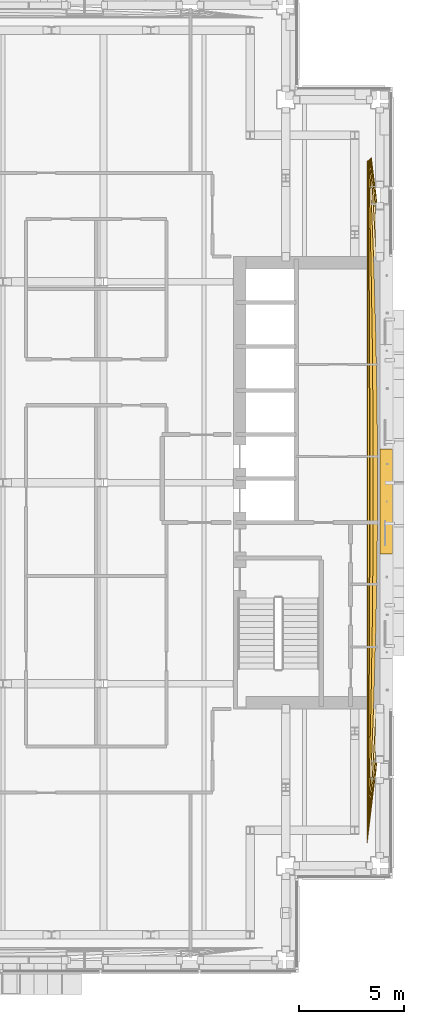
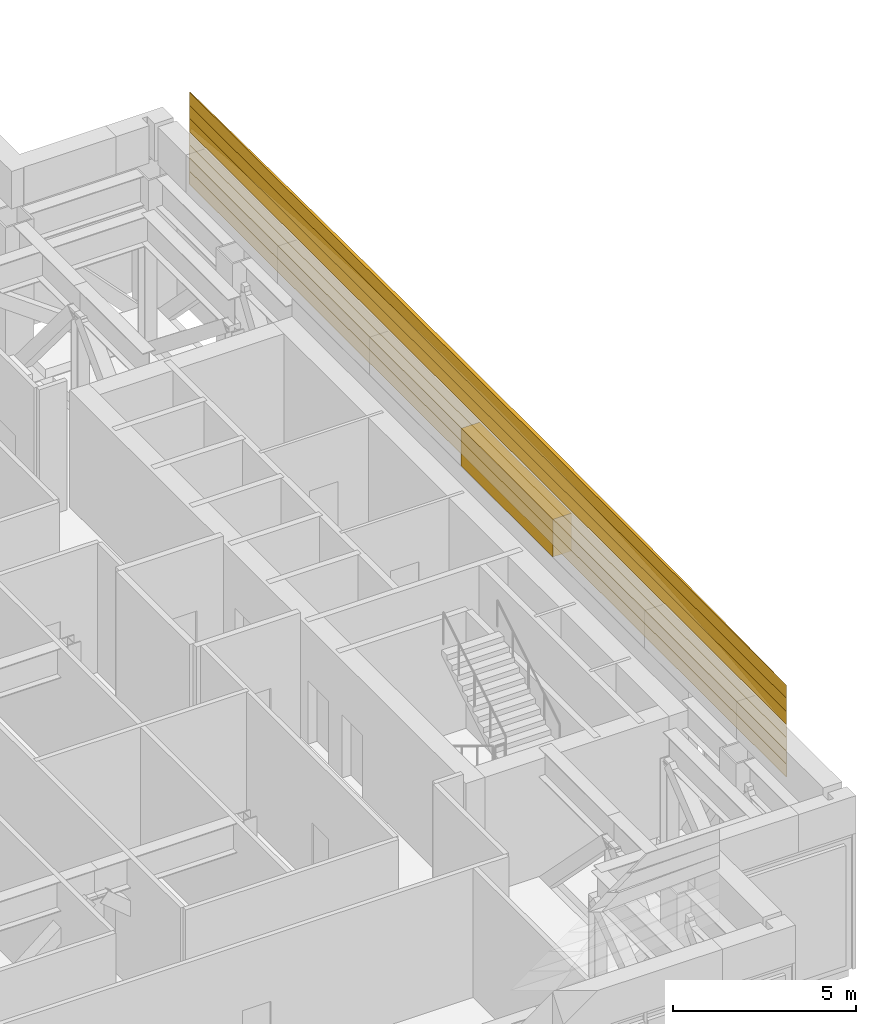
# One storey, part 30 of 38: 8 coverings.
"""IFC4 building model written with IfcOpenShell, lengths in metres."""

import ifcopenshell
import ifcopenshell.guid

model = None  # the IFC model being written
_history = None  # IfcOwnerHistory: only IFC2X3 demands one
_inside = {}  # id of a spatial element -> (the spatial element, [elements in it])
_under = {}  # id of a project, library or spatial element -> (it, [spatial elements below it])
_declared = {}  # id of a project -> (the project, [libraries it declares])
_typed = {}  # id of a type object -> (the type object, [elements of that type])
_made_of = {}  # id of a material, layer set ... -> (it, [elements and type objects made of it])


def new_model(schema):
    """Start an empty IFC model of exactly this schema.

    Asked for "IFC4X3", IfcOpenShell would pick the latest addendum, in which some entities
    have other attributes; the version numbers below select the first issue.
    IFC2X3 requires an IfcOwnerHistory on every rooted entity: one is made here for all.
    """
    global model, _history
    if schema == "IFC4X3":
        model = ifcopenshell.file(schema_version=(4, 3, 0, 0))
    else:
        model = ifcopenshell.file(schema=schema)
    _inside.clear()
    _under.clear()
    _declared.clear()
    _typed.clear()
    _made_of.clear()
    _history = None
    if model.schema == "IFC2X3":
        org = make("IfcOrganization", Name="unknown")
        user = make(
            "IfcPersonAndOrganization",
            ThePerson=make("IfcPerson", FamilyName="unknown"),
            TheOrganization=org,
        )
        app = make(
            "IfcApplication",
            ApplicationDeveloper=org,
            Version="unknown",
            ApplicationFullName="unknown",
            ApplicationIdentifier="unknown",
        )
        _history = make(
            "IfcOwnerHistory",
            OwningUser=user,
            OwningApplication=app,
            ChangeAction="ADDED",
            CreationDate=0,
        )
    return model


def make(cls, **values):
    """One entity of the class cls with the attributes given. An attribute that is None is left unset."""
    return model.create_entity(
        cls, **{name: value for name, value in values.items() if value is not None}
    )


def rooted(cls, **values):
    """An entity with a GlobalId (a new one), such as an element, a storey or a relation."""
    return make(cls, GlobalId=ifcopenshell.guid.new(), OwnerHistory=_history, **values)


def si_unit(unit_type, name, prefix=None):
    """IfcSIUnit, for example si_unit("LENGTHUNIT", "METRE", prefix="MILLI")."""
    return make("IfcSIUnit", UnitType=unit_type, Prefix=prefix, Name=name)


def assignment(units):
    """IfcUnitAssignment: the units of a project."""
    return None if units is None else make("IfcUnitAssignment", Units=units)


def point(xyz):
    """IfcCartesianPoint."""
    return None if xyz is None else make("IfcCartesianPoint", Coordinates=xyz)


def direction(xyz):
    """IfcDirection."""
    return None if xyz is None else make("IfcDirection", DirectionRatios=xyz)


def frame(location, z_axis=None, x_axis=None):
    """IfcAxis2Placement3D, a coordinate frame: its origin and axes. An axis left out is left unset."""
    return make(
        "IfcAxis2Placement3D",
        Location=point(location),
        Axis=direction(z_axis),
        RefDirection=direction(x_axis),
    )


def origin():
    """The frame at (0, 0, 0) with its axes left unset."""
    return frame((0.0, 0.0, 0.0))


def place(relative_to, where):
    """IfcLocalPlacement: puts the frame where relative to a parent placement (None: the world)."""
    return make(
        "IfcLocalPlacement", PlacementRelTo=relative_to, RelativePlacement=where
    )


def context(
    kind, dimensions, precision=None, world=None, true_north=None, identifier=None
):
    """IfcGeometricRepresentationContext, for example the 3D "Model" context."""
    return make(
        "IfcGeometricRepresentationContext",
        ContextIdentifier=identifier,
        ContextType=kind,
        CoordinateSpaceDimension=dimensions,
        Precision=precision,
        WorldCoordinateSystem=world,
        TrueNorth=true_north,
    )


def subcontext(parent, identifier, kind, view, scale=None):
    """IfcGeometricRepresentationSubContext, for example "Body" below "Model"."""
    return make(
        "IfcGeometricRepresentationSubContext",
        ContextIdentifier=identifier,
        ContextType=kind,
        ParentContext=parent,
        TargetScale=scale,
        TargetView=view,
    )


def project(units=None, contexts=None):
    """IfcProject with its units and contexts."""
    return rooted(
        "IfcProject",
        Name="project",
        RepresentationContexts=contexts,
        UnitsInContext=assignment(units),
    )


def spatial(cls, under=None, at=None, **own):
    """A site, building, storey or space (cls), placed at a placement, below another one or the project."""
    s = rooted(cls, ObjectPlacement=at, **own)
    if under is not None:
        _under.setdefault(under.id(), (under, []))[1].append(s)
    return s


def polyline(points):
    """IfcPolyline through the points."""
    return make("IfcPolyline", Points=[point(p) for p in points])


def outline(outer, holes=None, kind="AREA"):
    """IfcArbitraryClosedProfileDef: a profile drawn as a closed curve; with holes, ...WithVoids."""
    if holes is None:
        return make("IfcArbitraryClosedProfileDef", ProfileType=kind, OuterCurve=outer)
    return make(
        "IfcArbitraryProfileDefWithVoids",
        ProfileType=kind,
        OuterCurve=outer,
        InnerCurves=holes,
    )


def extrude(swept, where, along, depth):
    """IfcExtrudedAreaSolid: the profile swept, set in the frame where, extruded along a direction by depth."""
    return make(
        "IfcExtrudedAreaSolid",
        SweptArea=swept,
        Position=where,
        ExtrudedDirection=direction(along),
        Depth=depth,
    )


def shape(context_of_items, identifier, shape_type, items):
    """IfcShapeRepresentation: the items that make up one representation, for example the "Body"."""
    return make(
        "IfcShapeRepresentation",
        ContextOfItems=context_of_items,
        RepresentationIdentifier=identifier,
        RepresentationType=shape_type,
        Items=items,
    )


def material(Name=None, Category=None):
    """IfcMaterial."""
    return make("IfcMaterial", Name=Name, Category=Category)


def made_of(thing, what):
    """Note that an element or type object is made of a material, layer set ...; save() writes the relation."""
    if what is not None:
        _made_of.setdefault(what.id(), (what, []))[1].append(thing)
    return thing


def type_object(cls, material=None, **own):
    """A type object (cls), such as IfcWallType, which elements share."""
    return made_of(rooted(cls, **own), material)


def element(
    cls,
    number,
    at=None,
    inside=None,
    cuts=None,
    type_object=None,
    material=None,
    context=None,
    identifier="Body",
    shape_type=None,
    held_by="IfcProductDefinitionShape",
    body=None,
    shapes=None,
    **own,
):
    """One element of the class cls, such as IfcWall. Its Tag is "e" and its number.

    at: its placement. inside: the storey or other place that contains it. cuts: it is an
    opening in that element (IfcRelVoidsElement). A single representation is given by context,
    identifier, shape_type and body (its items); several are given by shapes. held_by: the class
    of the entity that holds the representations. save() writes the other relations.
    """
    e = rooted(cls, Tag="e%d" % number, ObjectPlacement=at, **own)
    if body is not None:
        shapes = [shape(context, identifier, shape_type, body)]
    if shapes is not None:
        e.Representation = make(held_by, Representations=shapes)
    if inside is not None:
        _inside.setdefault(inside.id(), (inside, []))[1].append(e)
    if cuts is not None:
        rooted(
            "IfcRelVoidsElement", RelatingBuildingElement=cuts, RelatedOpeningElement=e
        )
    if type_object is not None:
        _typed.setdefault(type_object.id(), (type_object, []))[1].append(e)
    return made_of(e, material)


def aggregate(whole, parts):
    """IfcRelAggregates: a whole, such as a stair, and the parts it consists of."""
    return rooted("IfcRelAggregates", RelatingObject=whole, RelatedObjects=parts)


def save(model, path):
    """Write the relations noted so far, then the file.

    IfcRelAggregates (storeys below a building ...), IfcRelContainedInSpatialStructure (elements
    in a storey), IfcRelDefinesByType, IfcRelAssociatesMaterial and IfcRelDeclares: one each for
    every whole, place, type object, material and project.
    """
    for whole, parts in _under.values():
        aggregate(whole, parts)
    for where, things in _inside.values():
        rooted(
            "IfcRelContainedInSpatialStructure",
            RelatedElements=things,
            RelatingStructure=where,
        )
    for kind, things in _typed.values():
        rooted("IfcRelDefinesByType", RelatedObjects=things, RelatingType=kind)
    for what, things in _made_of.values():
        rooted("IfcRelAssociatesMaterial", RelatedObjects=things, RelatingMaterial=what)
    for by, libraries in _declared.values():
        rooted("IfcRelDeclares", RelatingContext=by, RelatedDefinitions=libraries)
    model.write(path)


model = new_model("IFC4")

# Units and contexts
model_context = context("Model", 3, precision=1e-05, world=origin(), true_north=direction((0.0, 1.0)))
body_context = subcontext(model_context, "Body", "Model", "MODEL_VIEW")
ifc_project = project(units=[si_unit("LENGTHUNIT", "METRE"), si_unit("AREAUNIT", "SQUARE_METRE"), si_unit("VOLUMEUNIT", "CUBIC_METRE"), si_unit("PLANEANGLEUNIT", "RADIAN"), si_unit("MASSUNIT", "GRAM", prefix="KILO")], contexts=[model_context])

# Site, building, storey
site_placement = place(None, origin())
site = spatial("IfcSite", under=ifc_project, at=site_placement, CompositionType="ELEMENT")
building_placement = place(site_placement, origin())
building = spatial("IfcBuilding", under=site, at=building_placement, Name="Cobrizo Arcos Hotel Tower", CompositionType="ELEMENT")
storey_placement = place(building_placement, frame((0.0, 0.0, 138.0)))
storey = spatial("IfcBuildingStorey", under=building, at=storey_placement, Name="L35", CompositionType="ELEMENT", Elevation=138.0)

# Coverings
ifc_material = material(Name="Aluminium 6063-T6 anodised pale", Category="aluminium")
covering_type_1 = type_object("IfcCoveringType", Name="LF-1 setback skirt", PredefinedType="CLADDING", material=ifc_material)
covering_1_placement = place(storey_placement, frame((0.0, 0.0, 4.5)))
element("IfcCovering", 1, at=covering_1_placement, inside=storey, type_object=covering_type_1, Name="Setback skirt L35", PredefinedType="CLADDING", context=body_context, shape_type="SweptSolid", body=[
    extrude(outline(polyline([(22.81005859375, 1.60009765625), (22.81005859375, -3.39990234375), (23.39990234375, -3.39990234375), (23.39990234375, 1.60009765625), (22.81005859375, 1.60009765625)])), origin(), (0.0, 0.0, 1.0), 1.25),
])
covering_type_2 = type_object("IfcCoveringType", Name="LF-2 setback roll course", PredefinedType="CLADDING", material=ifc_material)
covering_2_placement = place(storey_placement, frame((0.0, 0.0, 5.75)))
element("IfcCovering", 2, at=covering_2_placement, inside=storey, type_object=covering_type_2, Name="Setback roll L35 E", PredefinedType="CLADDING", context=body_context, shape_type="SweptSolid", body=[
    extrude(outline(polyline([(22.627197265625, 13.760009765625), (22.95947265625, 10.320068359375), (23.19677734375, 6.8798828125), (23.339111328125, 3.43994140625), (23.386474609375, 0.0), (23.339111328125, -3.43994140625), (23.19677734375, -6.8798828125), (22.95947265625, -10.320068359375), (22.627197265625, -13.760009765625), (22.199951171875, -17.199951171875), (22.199951171875, 15.35205078125), (22.215087890625, 15.36328125), (22.331298828125, 15.468505859375), (22.40478515625, 15.5498046875), (22.627197265625, 13.760009765625)])), origin(), (0.0, 0.0, 1.0), 0.4375),
])
covering_3_placement = place(storey_placement, frame((0.0, 0.0, 6.1875)))
element("IfcCovering", 3, at=covering_3_placement, inside=storey, type_object=covering_type_2, Name="Setback roll L35 E", PredefinedType="CLADDING", context=body_context, shape_type="SweptSolid", body=[
    extrude(outline(polyline([(22.592041015625, 13.760009765625), (22.897216796875, 10.320068359375), (23.114990234375, 6.8798828125), (23.24560546875, 3.43994140625), (23.289306640625, 0.0), (23.24560546875, -3.43994140625), (23.114990234375, -6.8798828125), (22.897216796875, -10.320068359375), (22.592041015625, -13.760009765625), (22.199951171875, -17.199951171875), (22.199951171875, 15.35205078125), (22.215087890625, 15.36328125), (22.331298828125, 15.468505859375), (22.389892578125, 15.533203125), (22.592041015625, 13.760009765625)])), origin(), (0.0, 0.0, 1.0), 0.4375),
])
covering_4_placement = place(storey_placement, frame((0.0, 0.0, 6.625)))
element("IfcCovering", 4, at=covering_4_placement, inside=storey, type_object=covering_type_2, Name="Setback roll L35 E", PredefinedType="CLADDING", context=body_context, shape_type="SweptSolid", body=[
    extrude(outline(polyline([(22.53173828125, 13.760009765625), (22.789794921875, 10.320068359375), (22.97412109375, 6.8798828125), (23.084716796875, 3.43994140625), (23.12158203125, 0.0), (23.084716796875, -3.43994140625), (22.97412109375, -6.8798828125), (22.789794921875, -10.320068359375), (22.53173828125, -13.760009765625), (22.199951171875, -17.199951171875), (22.199951171875, 15.35205078125), (22.215087890625, 15.36328125), (22.331298828125, 15.468505859375), (22.363525390625, 15.504150390625), (22.53173828125, 13.760009765625)])), origin(), (0.0, 0.0, 1.0), 0.4375),
])
covering_5_placement = place(storey_placement, frame((0.0, 0.0, 7.0625)))
element("IfcCovering", 5, at=covering_5_placement, inside=storey, type_object=covering_type_2, Name="Setback roll L35 E", PredefinedType="CLADDING", context=body_context, shape_type="SweptSolid", body=[
    extrude(outline(polyline([(22.456298828125, 13.760009765625), (22.655517578125, 10.320068359375), (22.798095703125, 6.8798828125), (22.88330078125, 3.43994140625), (22.911865234375, 0.0), (22.88330078125, -3.43994140625), (22.798095703125, -6.8798828125), (22.655517578125, -10.320068359375), (22.456298828125, -13.760009765625), (22.199951171875, -17.199951171875), (22.199951171875, 15.35205078125), (22.215087890625, 15.36328125), (22.3291015625, 15.466552734375), (22.456298828125, 13.760009765625)])), origin(), (0.0, 0.0, 1.0), 0.4375),
])
covering_6_placement = place(storey_placement, frame((0.0, 0.0, 7.5)))
element("IfcCovering", 6, at=covering_6_placement, inside=storey, type_object=covering_type_2, Name="Setback roll L35 E", PredefinedType="CLADDING", context=body_context, shape_type="SweptSolid", body=[
    extrude(outline(polyline([(22.375732421875, 13.760009765625), (22.512451171875, 10.320068359375), (22.610107421875, 6.8798828125), (22.668701171875, 3.43994140625), (22.68798828125, 0.0), (22.668701171875, -3.43994140625), (22.610107421875, -6.8798828125), (22.512451171875, -10.320068359375), (22.375732421875, -13.760009765625), (22.199951171875, -17.199951171875), (22.199951171875, 15.35205078125), (22.215087890625, 15.36328125), (22.290283203125, 15.431396484375), (22.375732421875, 13.760009765625)])), origin(), (0.0, 0.0, 1.0), 0.4375),
])
covering_7_placement = place(storey_placement, frame((0.0, 0.0, 7.9375)))
element("IfcCovering", 7, at=covering_7_placement, inside=storey, type_object=covering_type_2, Name="Setback roll L35 E", PredefinedType="CLADDING", context=body_context, shape_type="SweptSolid", body=[
    extrude(outline(polyline([(22.30029296875, 13.760009765625), (22.378173828125, 10.320068359375), (22.433837890625, 6.8798828125), (22.46728515625, 3.43994140625), (22.478271484375, 0.0), (22.46728515625, -3.43994140625), (22.433837890625, -6.8798828125), (22.378173828125, -10.320068359375), (22.30029296875, -13.760009765625), (22.199951171875, -17.199951171875), (22.199951171875, 15.35205078125), (22.215087890625, 15.36328125), (22.25244140625, 15.397216796875), (22.30029296875, 13.760009765625)])), origin(), (0.0, 0.0, 1.0), 0.4375),
])
covering_8_placement = place(storey_placement, frame((0.0, 0.0, 8.375)))
element("IfcCovering", 8, at=covering_8_placement, inside=storey, type_object=covering_type_2, Name="Setback roll L35 E", PredefinedType="CLADDING", context=body_context, shape_type="SweptSolid", body=[
    extrude(outline(polyline([(22.239990234375, 13.760009765625), (22.27099609375, 10.320068359375), (22.29296875, 6.8798828125), (22.306396484375, 3.43994140625), (22.310791015625, 0.0), (22.306396484375, -3.43994140625), (22.29296875, -6.8798828125), (22.27099609375, -10.320068359375), (22.239990234375, -13.760009765625), (22.199951171875, -17.199951171875), (22.199951171875, 15.35205078125), (22.215087890625, 15.36328125), (22.22119140625, 15.368896484375), (22.239990234375, 13.760009765625)])), origin(), (0.0, 0.0, 1.0), 0.4375),
])

save(model, "model.ifc")
